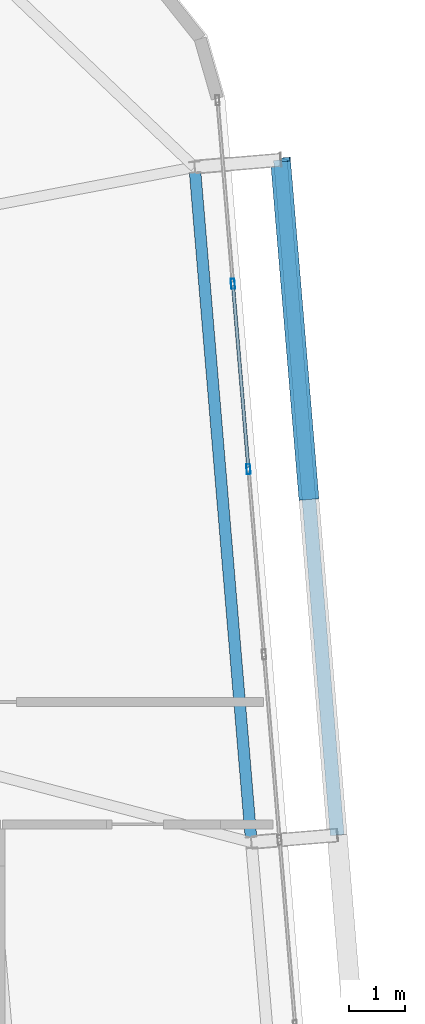
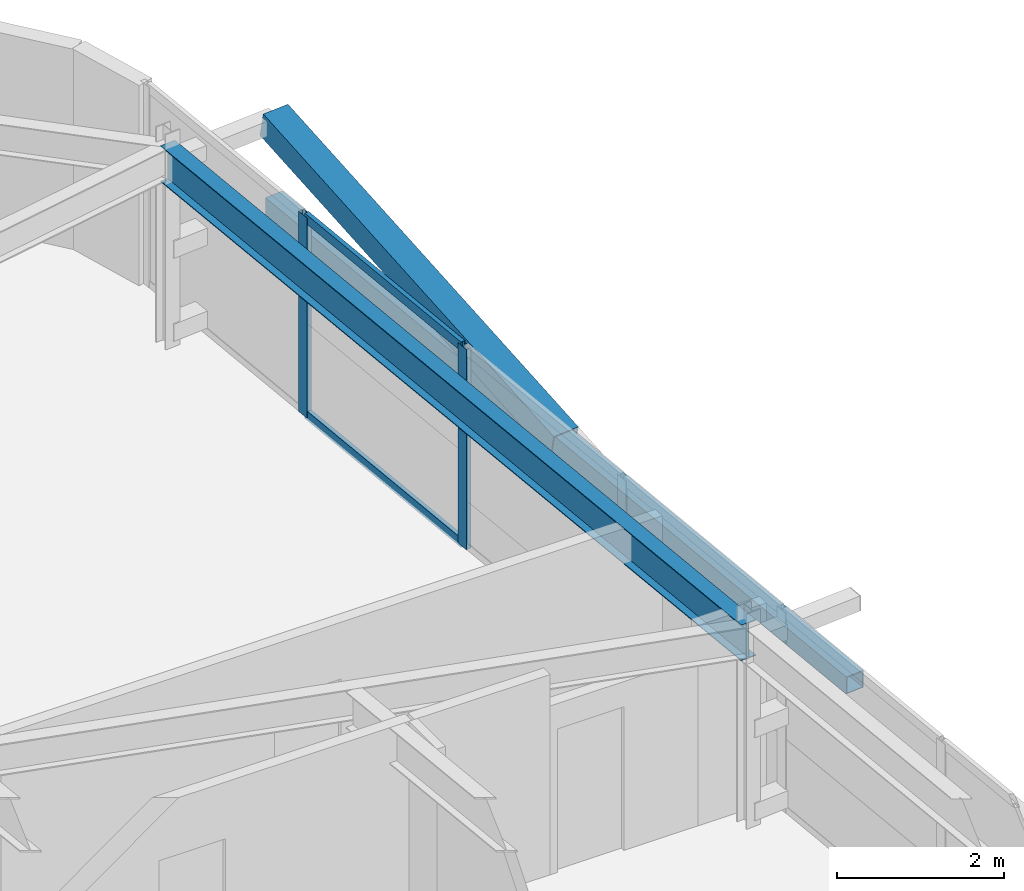
# One storey, part 26 of 46: 6 members, 1 beam, 1 element without a shape of its own.
"""IFC4 building model written with IfcOpenShell, lengths in metres."""

from ifc_helpers import new_model, si_unit, direction, frame, origin, origin_2d, place, context, subcontext, project, spatial, hollow_rectangle, i_section, extrude, source, transform, mapped, material, layer, layer_set, material_profile, profile_set, type_object, element, aggregate, save


model = new_model("IFC4")

# Units and contexts
model_context = context("Model", 3, precision=1e-05, world=origin(), true_north=direction((0.0, 1.0)))
body_context = subcontext(model_context, "Body", "Model", "MODEL_VIEW")
ifc_project = project(units=[si_unit("LENGTHUNIT", "METRE"), si_unit("AREAUNIT", "SQUARE_METRE"), si_unit("VOLUMEUNIT", "CUBIC_METRE"), si_unit("PLANEANGLEUNIT", "RADIAN"), si_unit("MASSUNIT", "GRAM", prefix="KILO")], contexts=[model_context])

# Site, building, storey
site_placement = place(None, origin())
site = spatial("IfcSite", under=ifc_project, at=site_placement, CompositionType="ELEMENT")
building_placement = place(site_placement, origin())
building = spatial("IfcBuilding", under=site, at=building_placement, Name="Taldren Reach Tower", CompositionType="ELEMENT")
storey_placement = place(building_placement, frame((0.0, 0.0, 188.300048828125)))
storey = spatial("IfcBuildingStorey", under=building, at=storey_placement, Name="L57", CompositionType="ELEMENT", Elevation=188.300048828125)

# Beam
ifc_material_1 = material(Name="Steel Gr 350 (350PLUS)", Category="steel")
ifc_material_profile_1 = material_profile(ifc_material_1, i_section(OverallWidth=0.208984375, OverallDepth=0.528076171875, WebThickness=0.009521484375, FlangeThickness=0.01318359375, at=origin_2d()), Name="530UB82.0")
ifc_profile_set_1 = profile_set([ifc_material_profile_1], Name="Steel Gr 350 (350PLUS)")
beam_type = type_object("IfcBeamType", Name="SP-UB530B", PredefinedType="SPANDREL", material=ifc_profile_set_1)
shared_shape_1 = source(origin(), body_context, "Body", "SweptSolid", [
    extrude(i_section(OverallWidth=0.208984375, OverallDepth=0.528076171875, WebThickness=0.009521484375, FlangeThickness=0.01318359375, at=origin_2d()), origin(), (0.0, 0.0, 1.0), 12.199951171875),
])
beam_placement = place(storey_placement, frame((60.6171875, 21.474853515625, 2.666015625), z_axis=(-0.083668166953, 0.99649367175, 0.0), x_axis=(-0.99649367175, -0.083668166953, 0.0)))
element("IfcBeam", 1, at=beam_placement, inside=storey, type_object=beam_type, Name="Perimeter spandrel B4 E2-E3 L57", PredefinedType="SPANDREL", context=body_context, shape_type="MappedRepresentation", body=[
    mapped(shared_shape_1, transform((0.0, 0.0, 0.0), scale=1.0)),
])

# Members
ifc_material_2 = material(Name="Steel Gr 350 (C350L0)", Category="steel")
ifc_material_profile_2 = material_profile(ifc_material_2, hollow_rectangle(XDim=0.25, YDim=0.25, WallThickness=0.010009765625, at=origin_2d()), Name="250x250x10.0SHS")
ifc_profile_set_2 = profile_set([ifc_material_profile_2], Name="Steel Gr 350 (C350L0)")
member_type_1 = type_object("IfcMemberType", Name="MB-POST250", PredefinedType="POST", material=ifc_profile_set_2)
shared_shape_2 = source(origin(), body_context, "Body", "SweptSolid", [
    extrude(hollow_rectangle(XDim=0.25, YDim=0.25, WallThickness=0.010009765625, at=origin_2d()), origin(), (0.0, 0.0, 1.0), 12.199951171875),
])
member_1_placement = place(storey_placement, frame((62.161865234375, 21.6044921875, 1.43505859375), z_axis=(-0.083688038336, 0.996492003099, 0.0), x_axis=(-0.996492003099, -0.083688038336, 0.0)))
element("IfcMember", 2, at=member_1_placement, inside=storey, type_object=member_type_1, Name="Exoskeleton mid-height ring chord B4-E2 L57", PredefinedType="POST", context=body_context, shape_type="MappedRepresentation", body=[
    mapped(shared_shape_2, transform((0.0, 0.0, 0.0), scale=1.0)),
])
ifc_material_3 = material(Name="Steel Gr 450 (C450L0)", Category="steel")
ifc_material_profile_3 = material_profile(ifc_material_3, hollow_rectangle(XDim=0.360107421875, YDim=0.360107421875, WallThickness=0.0126953125, at=origin_2d()), Name="360x360x12.7SHS")
ifc_profile_set_3 = profile_set([ifc_material_profile_3], Name="Steel Gr 450 (C450L0)")
member_type_2 = type_object("IfcMemberType", Name="MB-EXO356", PredefinedType="BRACE", material=ifc_profile_set_3)
shared_shape_3 = source(origin(), body_context, "Body", "SweptSolid", [
    extrude(hollow_rectangle(XDim=0.360107421875, YDim=0.360107421875, WallThickness=0.0126953125, at=origin_2d()), origin(), (0.0, 0.0, 1.0), 6.2197265625),
])
member_2_placement = place(storey_placement, frame((61.6513671875, 27.68310546875, 1.43505859375), z_axis=(-0.082076194186, 0.977299417909, 0.19531857593), x_axis=(-0.996492003099, -0.083688038336, 0.0)))
element("IfcMember", 3, at=member_2_placement, inside=storey, type_object=member_type_2, Name="Exoskeleton Diagrid Brace B4-E2 L57", PredefinedType="BRACE", context=body_context, shape_type="MappedRepresentation", body=[
    mapped(shared_shape_3, transform((0.0, 0.0, 0.0), scale=1.0)),
])

# Curtain wall, members
ifc_material_4 = material(Name="Aluminium and Low-E Glass Unitised System", Category="aluminium")
ifc_layer = layer(ifc_material_4, 0.159912109375)
ifc_layer_set = layer_set([ifc_layer], Name="Aluminium and Low-E Glass Unitised System")
curtain_wall_type = type_object("IfcCurtainWallType", Name="CW-SYS-5", PredefinedType="NOTDEFINED", material=ifc_layer_set)
curtain_wall_placement = place(storey_placement, origin())
curtain_wall = element("IfcCurtainWall", 4, at=curtain_wall_placement, inside=storey, type_object=curtain_wall_type, Name="Unitised curtain wall CW-L57-E", PredefinedType="NOTDEFINED")
ifc_material_5 = material(Name="Anodised Aluminium 6063-T6", Category="aluminium")
ifc_material_profile_4 = material_profile(ifc_material_5, hollow_rectangle(XDim=0.070068359375, YDim=0.179931640625, WallThickness=0.00390625, at=origin_2d()), Name="ALU-180x70x4RHS")
ifc_profile_set_4 = profile_set([ifc_material_profile_4], Name="Anodised Aluminium 6063-T6")
member_type_3 = type_object("IfcMemberType", Name="CW-MUL-180", PredefinedType="MULLION", material=ifc_profile_set_4)
shared_shape_4 = source(origin(), body_context, "Body", "SweptSolid", [
    extrude(hollow_rectangle(XDim=0.070068359375, YDim=0.179931640625, WallThickness=0.00390625, at=origin_2d()), origin(), (0.0, 0.0, 1.0), 2.929931640625),
])
member_3_placement = place(storey_placement, frame((60.564697265625, 28.194091796875, 0.0), z_axis=(0.0, 0.0, 1.0), x_axis=(-0.996492847789, -0.083677979808, 0.0)))
member_3 = element("IfcMember", 5, at=member_3_placement, type_object=member_type_3, Name="CW-5 mullion 7", PredefinedType="MULLION", context=body_context, shape_type="MappedRepresentation", body=[
    mapped(shared_shape_4, transform((0.0, 0.0, 0.0), scale=1.0)),
])
member_4_placement = place(storey_placement, frame((60.284423828125, 31.5322265625, 0.0), z_axis=(0.0, 0.0, 1.0), x_axis=(-0.996492847789, -0.083677979808, 0.0)))
member_4 = element("IfcMember", 6, at=member_4_placement, type_object=member_type_3, Name="CW-5 mullion 8", PredefinedType="MULLION", context=body_context, shape_type="MappedRepresentation", body=[
    mapped(shared_shape_4, transform((0.0, 0.0, 0.0), scale=1.0)),
])
ifc_material_profile_5 = material_profile(ifc_material_5, hollow_rectangle(XDim=0.06005859375, YDim=0.135009765625, WallThickness=0.00341796875, at=origin_2d()), Name="ALU-135x60x3.5RHS")
ifc_profile_set_5 = profile_set([ifc_material_profile_5], Name="Anodised Aluminium 6063-T6")
member_type_4 = type_object("IfcMemberType", Name="CW-TRN-150", PredefinedType="USERDEFINED", material=ifc_profile_set_5)
shared_shape_5 = source(origin(), body_context, "Body", "SweptSolid", [
    extrude(hollow_rectangle(XDim=0.06005859375, YDim=0.135009765625, WallThickness=0.00341796875, at=origin_2d()), origin(), (0.0, 0.0, 1.0), 3.280029296875),
])
member_5_placement = place(storey_placement, frame((60.561767578125, 28.228759765625, 0.030029296875), z_axis=(-0.083661452101, 0.996494235524, 0.0), x_axis=(-0.996494235524, -0.083661452101, 0.0)))
member_5 = element("IfcMember", 7, at=member_5_placement, type_object=member_type_4, Name="CW-5 transom 7.1", ObjectType="TRANSOM", PredefinedType="USERDEFINED", context=body_context, shape_type="MappedRepresentation", body=[
    mapped(shared_shape_5, transform((0.0, 0.0, 0.0), scale=1.0)),
])
member_6_placement = place(storey_placement, frame((60.561767578125, 28.228759765625, 2.89990234375), z_axis=(-0.083661452101, 0.996494235524, 0.0), x_axis=(-0.996494235524, -0.083661452101, 0.0)))
member_6 = element("IfcMember", 8, at=member_6_placement, type_object=member_type_4, Name="CW-5 transom 7.2", ObjectType="TRANSOM", PredefinedType="USERDEFINED", context=body_context, shape_type="MappedRepresentation", body=[
    mapped(shared_shape_5, transform((0.0, 0.0, 0.0), scale=1.0)),
])
aggregate(curtain_wall, [member_3, member_4, member_5, member_6])

save(model, "model.ifc")
